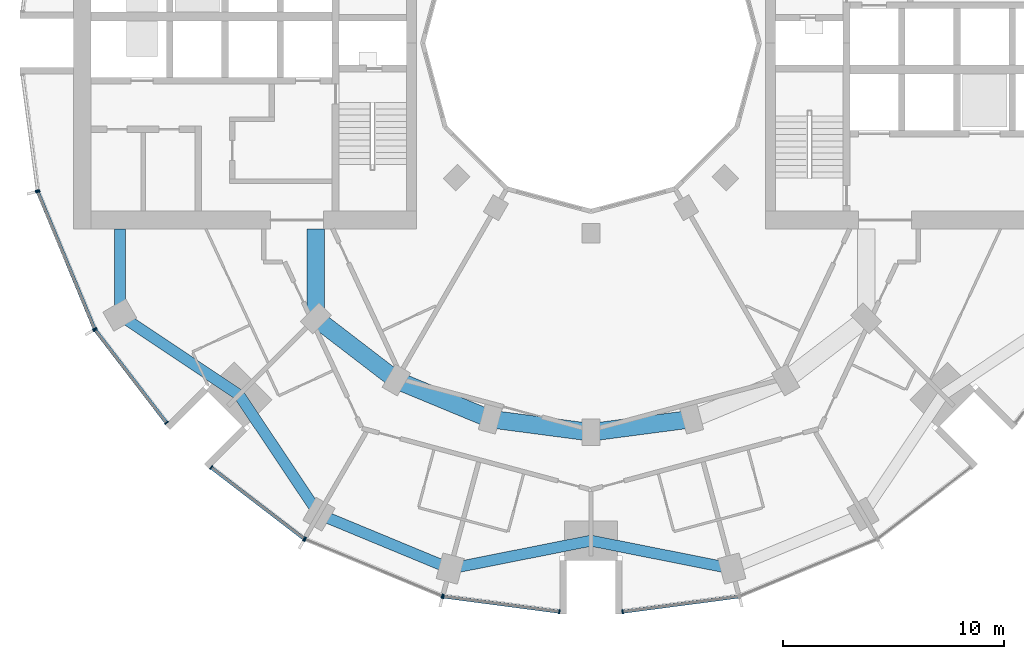
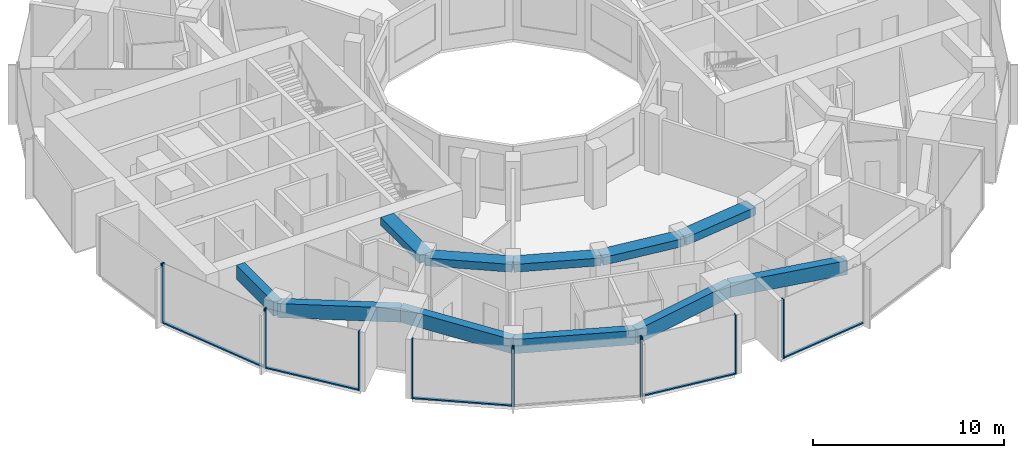
# One storey, part 2 of 15: 17 members, 11 beams, 7 elements without a shape of their own.
"""IFC4 building model written with IfcOpenShell, lengths in metres."""

from ifc_helpers import new_model, si_unit, direction, frame, origin, origin_2d, place, context, subcontext, project, spatial, rectangle, extrude, material, layer, layer_set, material_profile, profile_set, type_object, element, aggregate, save


model = new_model("IFC4")

# Units and contexts
model_context = context("Model", 3, precision=1e-05, world=origin(), true_north=direction((0.0, 1.0)))
body_context = subcontext(model_context, "Body", "Model", "MODEL_VIEW")
ifc_project = project(units=[si_unit("LENGTHUNIT", "METRE"), si_unit("AREAUNIT", "SQUARE_METRE"), si_unit("VOLUMEUNIT", "CUBIC_METRE"), si_unit("PLANEANGLEUNIT", "RADIAN"), si_unit("MASSUNIT", "GRAM", prefix="KILO")], contexts=[model_context])

# Site, building, storey
site_placement = place(None, origin())
site = spatial("IfcSite", under=ifc_project, at=site_placement, CompositionType="ELEMENT")
building_placement = place(site_placement, origin())
building = spatial("IfcBuilding", under=site, at=building_placement, Name="Torre Brocal", CompositionType="ELEMENT")
storey_placement = place(building_placement, frame((0.0, 0.0, 82.39990234375)))
storey = spatial("IfcBuildingStorey", under=building, at=storey_placement, Name="L18", CompositionType="ELEMENT", Elevation=82.39990234375)

# Curtain wall, members
ifc_material_1 = material(Name="Aluminium and glass", Category="aluminium")
ifc_layer_1 = layer(ifc_material_1, 0.199951171875)
ifc_layer_set_1 = layer_set([ifc_layer_1], Name="Aluminium and glass")
curtain_wall_type_1 = type_object("IfcCurtainWallType", Name="CW-1 CURTAIN WALL 3800 HIGH", PredefinedType="NOTDEFINED", material=ifc_layer_set_1)
curtain_wall_1_placement = place(storey_placement, origin())
curtain_wall_1 = element("IfcCurtainWall", 1, at=curtain_wall_1_placement, inside=storey, type_object=curtain_wall_type_1, Name="CW-1 RUN 14", PredefinedType="NOTDEFINED")
ifc_material_2 = material(Name="Aluminium, dark anodised", Category="aluminium")
ifc_material_profile_1 = material_profile(ifc_material_2, rectangle(XDim=0.199951171875, YDim=0.06005859375, at=origin_2d()), Name="CW-1 MULLION 60X200")
ifc_profile_set_1 = profile_set([ifc_material_profile_1], Name="Aluminium, dark anodised")
member_type_1 = type_object("IfcMemberType", Name="CW-1 MULLION 60X200", PredefinedType="MULLION", material=ifc_profile_set_1)
member_1_placement = place(storey_placement, frame((54.994873046875, 68.26904296875, 0.0), z_axis=(0.0, 0.0, 1.0), x_axis=(0.923879532525, 0.382683432333, 0.0)))
member_1 = element("IfcMember", 2, at=member_1_placement, type_object=member_type_1, Name="CW1-1 mullion 1", PredefinedType="MULLION", context=body_context, shape_type="SweptSolid", body=[
    extrude(rectangle(XDim=0.199951171875, YDim=0.06005859375, at=origin_2d()), origin(), (0.0, 0.0, 1.0), 3.800048828125),
])
member_2_placement = place(storey_placement, frame((57.559326171875, 62.078125, 0.0), z_axis=(0.0, 0.0, 1.0), x_axis=(0.923879532525, 0.382683432333, 0.0)))
member_2 = element("IfcMember", 3, at=member_2_placement, type_object=member_type_1, Name="CW1-1 mullion 2", PredefinedType="MULLION", context=body_context, shape_type="SweptSolid", body=[
    extrude(rectangle(XDim=0.199951171875, YDim=0.06005859375, at=origin_2d()), origin(), (0.0, 0.0, 1.0), 3.800048828125),
])

curtain_wall_2_placement = place(storey_placement, origin())
curtain_wall_2 = element("IfcCurtainWall", 4, at=curtain_wall_2_placement, inside=storey, type_object=curtain_wall_type_1, Name="CW-1 RUN 15", PredefinedType="NOTDEFINED")
member_3_placement = place(storey_placement, frame((57.5888671875, 62.026611328125, 0.0), z_axis=(0.0, 0.0, 1.0), x_axis=(0.793353340259, 0.60876142905, 0.0)))
member_3 = element("IfcMember", 5, at=member_3_placement, type_object=member_type_1, Name="CW1-1 mullion 1", PredefinedType="MULLION", context=body_context, shape_type="SweptSolid", body=[
    extrude(rectangle(XDim=0.199951171875, YDim=0.06005859375, at=origin_2d()), origin(), (0.0, 0.0, 1.0), 3.800048828125),
])
member_4_placement = place(storey_placement, frame((60.80859375, 57.83056640625, 0.0), z_axis=(0.0, 0.0, 1.0), x_axis=(0.793353340259, 0.60876142905, 0.0)))
member_4 = element("IfcMember", 6, at=member_4_placement, type_object=member_type_1, Name="CW1-1 mullion 2", PredefinedType="MULLION", context=body_context, shape_type="SweptSolid", body=[
    extrude(rectangle(XDim=0.199951171875, YDim=0.06005859375, at=origin_2d()), origin(), (0.0, 0.0, 1.0), 3.800048828125),
])

curtain_wall_3_placement = place(storey_placement, origin())
curtain_wall_3 = element("IfcCurtainWall", 7, at=curtain_wall_3_placement, inside=storey, type_object=curtain_wall_type_1, Name="CW-1 RUN 16", PredefinedType="NOTDEFINED")
member_5_placement = place(storey_placement, frame((62.83056640625, 55.80859375, 0.0), z_axis=(0.0, 0.0, 1.0), x_axis=(0.60876142905, 0.793353340259, 0.0)))
member_5 = element("IfcMember", 8, at=member_5_placement, type_object=member_type_1, Name="CW1-1 mullion 1", PredefinedType="MULLION", context=body_context, shape_type="SweptSolid", body=[
    extrude(rectangle(XDim=0.199951171875, YDim=0.06005859375, at=origin_2d()), origin(), (0.0, 0.0, 1.0), 3.800048828125),
])
member_6_placement = place(storey_placement, frame((67.026611328125, 52.5888671875, 0.0), z_axis=(0.0, 0.0, 1.0), x_axis=(0.60876142905, 0.793353340259, 0.0)))
member_6 = element("IfcMember", 9, at=member_6_placement, type_object=member_type_1, Name="CW1-1 mullion 2", PredefinedType="MULLION", context=body_context, shape_type="SweptSolid", body=[
    extrude(rectangle(XDim=0.199951171875, YDim=0.06005859375, at=origin_2d()), origin(), (0.0, 0.0, 1.0), 3.800048828125),
])

curtain_wall_4_placement = place(storey_placement, origin())
curtain_wall_4 = element("IfcCurtainWall", 10, at=curtain_wall_4_placement, inside=storey, type_object=curtain_wall_type_1, Name="CW-1 RUN 17", PredefinedType="NOTDEFINED")
member_7_placement = place(storey_placement, frame((67.078125, 52.559326171875, 0.0), z_axis=(0.0, 0.0, 1.0), x_axis=(0.382683432333, 0.923879532525, 0.0)))
member_7 = element("IfcMember", 11, at=member_7_placement, type_object=member_type_1, Name="CW1-1 mullion 1", PredefinedType="MULLION", context=body_context, shape_type="SweptSolid", body=[
    extrude(rectangle(XDim=0.199951171875, YDim=0.06005859375, at=origin_2d()), origin(), (0.0, 0.0, 1.0), 3.800048828125),
])
member_8_placement = place(storey_placement, frame((73.26904296875, 49.994873046875, 0.0), z_axis=(0.0, 0.0, 1.0), x_axis=(0.382683432333, 0.923879532525, 0.0)))
member_8 = element("IfcMember", 12, at=member_8_placement, type_object=member_type_1, Name="CW1-1 mullion 2", PredefinedType="MULLION", context=body_context, shape_type="SweptSolid", body=[
    extrude(rectangle(XDim=0.199951171875, YDim=0.06005859375, at=origin_2d()), origin(), (0.0, 0.0, 1.0), 3.800048828125),
])
aggregate(curtain_wall_4, [member_7, member_8])

curtain_wall_5_placement = place(storey_placement, origin())
curtain_wall_5 = element("IfcCurtainWall", 13, at=curtain_wall_5_placement, inside=storey, type_object=curtain_wall_type_1, Name="CW-1 RUN 18", PredefinedType="NOTDEFINED")
member_9_placement = place(storey_placement, frame((73.32666015625, 49.9794921875, 0.0), z_axis=(0.0, 0.0, 1.0), x_axis=(0.13052619222, 0.991444861374, 0.0)))
member_9 = element("IfcMember", 14, at=member_9_placement, type_object=member_type_1, Name="CW1-1 mullion 1", PredefinedType="MULLION", context=body_context, shape_type="SweptSolid", body=[
    extrude(rectangle(XDim=0.199951171875, YDim=0.06005859375, at=origin_2d()), origin(), (0.0, 0.0, 1.0), 3.800048828125),
])
member_10_placement = place(storey_placement, frame((78.5703125, 49.2890625, 0.0), z_axis=(0.0, 0.0, 1.0), x_axis=(0.13052619222, 0.991444861374, 0.0)))
member_10 = element("IfcMember", 15, at=member_10_placement, type_object=member_type_1, Name="CW1-1 mullion 2", PredefinedType="MULLION", context=body_context, shape_type="SweptSolid", body=[
    extrude(rectangle(XDim=0.199951171875, YDim=0.06005859375, at=origin_2d()), origin(), (0.0, 0.0, 1.0), 3.800048828125),
])

# Curtain wall, member
curtain_wall_6_placement = place(storey_placement, origin())
curtain_wall_6 = element("IfcCurtainWall", 16, at=curtain_wall_6_placement, inside=storey, type_object=curtain_wall_type_1, Name="CW-1 RUN 19", PredefinedType="NOTDEFINED")
member_11_placement = place(storey_placement, frame((81.4296875, 49.2890625, 0.0), z_axis=(0.0, 0.0, 1.0), x_axis=(-0.13052619222, 0.991444861374, 0.0)))
member_11 = element("IfcMember", 17, at=member_11_placement, type_object=member_type_1, Name="CW1-1 mullion 1", PredefinedType="MULLION", context=body_context, shape_type="SweptSolid", body=[
    extrude(rectangle(XDim=0.199951171875, YDim=0.06005859375, at=origin_2d()), origin(), (0.0, 0.0, 1.0), 3.800048828125),
])

# Member
ifc_material_3 = material(Name="Aluminium, dark anodised", Category="aluminium")
ifc_material_profile_2 = material_profile(ifc_material_3, rectangle(XDim=0.159912109375, YDim=0.080078125, at=origin_2d()), Name="CW-1 TRANSOM 160X80")
ifc_profile_set_2 = profile_set([ifc_material_profile_2], Name="Aluminium, dark anodised")
member_type_2 = type_object("IfcMemberType", Name="CW-1 TRANSOM 160X80", PredefinedType="USERDEFINED", material=ifc_profile_set_2)
member_12_placement = place(storey_placement, frame((55.00634765625, 68.241455078125, 0.0400390625), z_axis=(0.38266457234, -0.923887344364, 0.0), x_axis=(0.923887344364, 0.38266457234, 0.0)))
member_12 = element("IfcMember", 18, at=member_12_placement, type_object=member_type_2, Name="CW1-1 transom 1.1", ObjectType="TRANSOM", PredefinedType="USERDEFINED", context=body_context, shape_type="SweptSolid", body=[
    extrude(rectangle(XDim=0.159912109375, YDim=0.080078125, at=origin_2d()), origin(), (0.0, 0.0, 1.0), 6.640869140625),
])

aggregate(curtain_wall_1, [member_1, member_2, member_12])

member_13_placement = place(storey_placement, frame((57.607177734375, 62.0029296875, 0.0400390625), z_axis=(0.60874908096, -0.79336281513, 0.0), x_axis=(0.79336281513, 0.60874908096, 0.0)))
member_13 = element("IfcMember", 19, at=member_13_placement, type_object=member_type_2, Name="CW1-1 transom 1.1", ObjectType="TRANSOM", PredefinedType="USERDEFINED", context=body_context, shape_type="SweptSolid", body=[
    extrude(rectangle(XDim=0.159912109375, YDim=0.080078125, at=origin_2d()), origin(), (0.0, 0.0, 1.0), 5.22900390625),
])

aggregate(curtain_wall_2, [member_3, member_4, member_13])

member_14_placement = place(storey_placement, frame((62.8544921875, 55.790283203125, 0.0400390625), z_axis=(0.79336281513, -0.60874908096, 0.0), x_axis=(0.60874908096, 0.79336281513, 0.0)))
member_14 = element("IfcMember", 20, at=member_14_placement, type_object=member_type_2, Name="CW1-1 transom 1.1", ObjectType="TRANSOM", PredefinedType="USERDEFINED", context=body_context, shape_type="SweptSolid", body=[
    extrude(rectangle(XDim=0.159912109375, YDim=0.080078125, at=origin_2d()), origin(), (0.0, 0.0, 1.0), 5.22900390625),
])

aggregate(curtain_wall_3, [member_5, member_6, member_14])

member_15_placement = place(storey_placement, frame((73.356201171875, 49.9755859375, 0.0400390625), z_axis=(0.991442690863, -0.130542677827, 0.0), x_axis=(0.130542677827, 0.991442690863, 0.0)))
member_15 = element("IfcMember", 21, at=member_15_placement, type_object=member_type_2, Name="CW1-1 transom 1.1", ObjectType="TRANSOM", PredefinedType="USERDEFINED", context=body_context, shape_type="SweptSolid", body=[
    extrude(rectangle(XDim=0.159912109375, YDim=0.080078125, at=origin_2d()), origin(), (0.0, 0.0, 1.0), 5.22900390625),
])

aggregate(curtain_wall_5, [member_9, member_10, member_15])

member_16_placement = place(storey_placement, frame((81.45947265625, 49.29296875, 0.0400390625), z_axis=(0.991442690863, 0.130542677827, 0.0), x_axis=(-0.130542677827, 0.991442690863, 0.0)))
member_16 = element("IfcMember", 22, at=member_16_placement, type_object=member_type_2, Name="CW1-1 transom 1.1", ObjectType="TRANSOM", PredefinedType="USERDEFINED", context=body_context, shape_type="SweptSolid", body=[
    extrude(rectangle(XDim=0.159912109375, YDim=0.080078125, at=origin_2d()), origin(), (0.0, 0.0, 1.0), 5.22900390625),
])

aggregate(curtain_wall_6, [member_11, member_16])

# Curtain wall, member
ifc_material_4 = material(Name="Aluminium and glass", Category="aluminium")
ifc_layer_2 = layer(ifc_material_4, 0.199951171875)
ifc_layer_set_2 = layer_set([ifc_layer_2], Name="Aluminium and glass")
curtain_wall_type_2 = type_object("IfcCurtainWallType", Name="CW-1B CURTAIN WALL 3800 HIGH", PredefinedType="NOTDEFINED", material=ifc_layer_set_2)
curtain_wall_7_placement = place(storey_placement, origin())
curtain_wall_7 = element("IfcCurtainWall", 23, at=curtain_wall_7_placement, inside=storey, type_object=curtain_wall_type_2, Name="CW-1B RUN 13", PredefinedType="NOTDEFINED")
ifc_material_5 = material(Name="Aluminium, dark anodised", Category="aluminium")
ifc_material_profile_3 = material_profile(ifc_material_5, rectangle(XDim=0.199951171875, YDim=0.06005859375, at=origin_2d()), Name="CW-1B MULLION 60X200")
ifc_profile_set_3 = profile_set([ifc_material_profile_3], Name="Aluminium, dark anodised")
member_type_3 = type_object("IfcMemberType", Name="CW-1B MULLION 60X200", PredefinedType="MULLION", material=ifc_profile_set_3)
member_17_placement = place(storey_placement, frame((54.9794921875, 68.32666015625, 0.0), z_axis=(0.0, 0.0, 1.0), x_axis=(0.991444861374, 0.13052619222, 0.0)))
member_17 = element("IfcMember", 24, at=member_17_placement, type_object=member_type_3, Name="CW1B-1 mullion 2", PredefinedType="MULLION", context=body_context, shape_type="SweptSolid", body=[
    extrude(rectangle(XDim=0.199951171875, YDim=0.06005859375, at=origin_2d()), origin(), (0.0, 0.0, 1.0), 3.800048828125),
])
aggregate(curtain_wall_7, [member_17])

# Beams
ifc_material_6 = material(Name="Concrete C50", Category="concrete")
ifc_material_profile_4 = material_profile(ifc_material_6, rectangle(XDim=0.800048828125, YDim=0.5, at=origin_2d()), Name="RC 800X500")
ifc_profile_set_4 = profile_set([ifc_material_profile_4], Name="Concrete C50")
beam_type_1 = type_object("IfcBeamType", Name="RC BEAM 800X500 C50 TOP 3480", PredefinedType="BEAM", material=ifc_profile_set_4)
beam_1_placement = place(storey_placement, frame((67.554931640625, 62.554931640625, 3.22998046875), z_axis=(0.0, 1.0, 0.0), x_axis=(-1.0, 0.0, 0.0)))
element("IfcBeam", 25, at=beam_1_placement, inside=storey, type_object=beam_type_1, Name="Beam BT-19", PredefinedType="BEAM", context=body_context, shape_type="SweptSolid", body=[
    extrude(rectangle(XDim=0.800048828125, YDim=0.5, at=origin_2d()), origin(), (0.0, 0.0, 1.0), 4.045166015625),
])
beam_2_placement = place(storey_placement, frame((67.554931640625, 62.554931640625, 3.22998046875), z_axis=(0.793358265959, -0.6087550097, 0.0), x_axis=(0.6087550097, 0.793358265959, 0.0)))
element("IfcBeam", 26, at=beam_2_placement, inside=storey, type_object=beam_type_1, Name="Beam BT-19", PredefinedType="BEAM", context=body_context, shape_type="SweptSolid", body=[
    extrude(rectangle(XDim=0.800048828125, YDim=0.5, at=origin_2d()), origin(), (0.0, 0.0, 1.0), 4.594482421875),
])
beam_3_placement = place(storey_placement, frame((71.199951171875, 59.758056640625, 3.22998046875), z_axis=(0.923878240166, -0.382686552348, 0.0), x_axis=(0.382686552348, 0.923878240166, 0.0)))
element("IfcBeam", 27, at=beam_3_placement, inside=storey, type_object=beam_type_1, Name="Beam BT-19", PredefinedType="BEAM", context=body_context, shape_type="SweptSolid", body=[
    extrude(rectangle(XDim=0.800048828125, YDim=0.5, at=origin_2d()), origin(), (0.0, 0.0, 1.0), 4.5947265625),
])
for number, where, z_axis, x_axis, name in (
    (28, (75.44482421875, 57.999755859375, 3.22998046875), (0.991440544449, -0.130558978332, 0.0), (0.130558978332, 0.991440544449, 0.0), "Beam BT-19"),
    (29, (80.0, 57.39990234375, 3.22998046875), (0.991440544449, 0.130558978332, 0.0), (-0.130558978332, 0.991440544449, 0.0), "Beam BT-19"),
):
    element("IfcBeam", number, at=place(storey_placement, frame(where, z_axis=z_axis, x_axis=x_axis)), inside=storey, type_object=beam_type_1, Name=name, PredefinedType="BEAM", context=body_context, shape_type="SweptSolid", body=[
        extrude(rectangle(XDim=0.800048828125, YDim=0.5, at=origin_2d()), origin(), (0.0, 0.0, 1.0), 4.594482421875),
    ])
ifc_material_7 = material(Name="Concrete C50", Category="concrete")
ifc_material_profile_5 = material_profile(ifc_material_7, rectangle(XDim=0.5, YDim=0.89990234375, at=origin_2d()), Name="RC 500X900")
ifc_profile_set_5 = profile_set([ifc_material_profile_5], Name="Concrete C50")
beam_type_2 = type_object("IfcBeamType", Name="RC SPANDREL BEAM 500X900 C50 TOP 3480", PredefinedType="SPANDREL", material=ifc_profile_set_5)
beam_4_placement = place(storey_placement, frame((58.69580078125, 62.699951171875, 3.030029296875), z_axis=(0.0, 1.0, 0.0), x_axis=(-1.0, 0.0, 0.0)))
element("IfcBeam", 30, at=beam_4_placement, inside=storey, type_object=beam_type_2, Name="Beam BT-20", PredefinedType="SPANDREL", context=body_context, shape_type="SweptSolid", body=[
    extrude(rectangle(XDim=0.5, YDim=0.89990234375, at=origin_2d()), origin(), (0.0, 0.0, 1.0), 3.900146484375),
])
for number, where, z_axis, x_axis, name in (
    (31, (58.69580078125, 62.699951171875, 3.030029296875), (0.831076844476, -0.556157602282, 0.0), (0.556157602282, 0.831076844476, 0.0), "Beam BT-20"),
    (32, (64.090087890625, 59.090087890625, 3.030029296875), (0.556157602282, -0.831076844476, 0.0), (0.831076844476, 0.556157602282, 0.0), "Beam BT-20"),
):
    element("IfcBeam", number, at=place(storey_placement, frame(where, z_axis=z_axis, x_axis=x_axis)), inside=storey, type_object=beam_type_2, Name=name, PredefinedType="SPANDREL", context=body_context, shape_type="SweptSolid", body=[
        extrude(rectangle(XDim=0.5, YDim=0.89990234375, at=origin_2d()), origin(), (0.0, 0.0, 1.0), 6.49072265625),
    ])
beam_5_placement = place(storey_placement, frame((67.699951171875, 53.69580078125, 3.030029296875), z_axis=(0.923882462513, -0.382676358639, 0.0), x_axis=(0.382676358639, 0.923882462513, 0.0)))
element("IfcBeam", 33, at=beam_5_placement, inside=storey, type_object=beam_type_2, Name="Beam BT-20", PredefinedType="SPANDREL", context=body_context, shape_type="SweptSolid", body=[
    extrude(rectangle(XDim=0.5, YDim=0.89990234375, at=origin_2d()), origin(), (0.0, 0.0, 1.0), 6.421875),
])
for number, where, z_axis, x_axis, name in (
    (34, (73.633056640625, 51.23828125, 3.030029296875), (0.980924907484, 0.194387051723, 0.0), (-0.194387051723, 0.980924907484, 0.0), "Beam BT-20"),
    (35, (80.0, 52.5, 3.030029296875), (0.980924907484, -0.194387051723, 0.0), (0.194387051723, 0.980924907484, 0.0), "Beam BT-20"),
):
    element("IfcBeam", number, at=place(storey_placement, frame(where, z_axis=z_axis, x_axis=x_axis)), inside=storey, type_object=beam_type_2, Name=name, PredefinedType="SPANDREL", context=body_context, shape_type="SweptSolid", body=[
        extrude(rectangle(XDim=0.5, YDim=0.89990234375, at=origin_2d()), origin(), (0.0, 0.0, 1.0), 6.49072265625),
    ])

save(model, "model.ifc")
